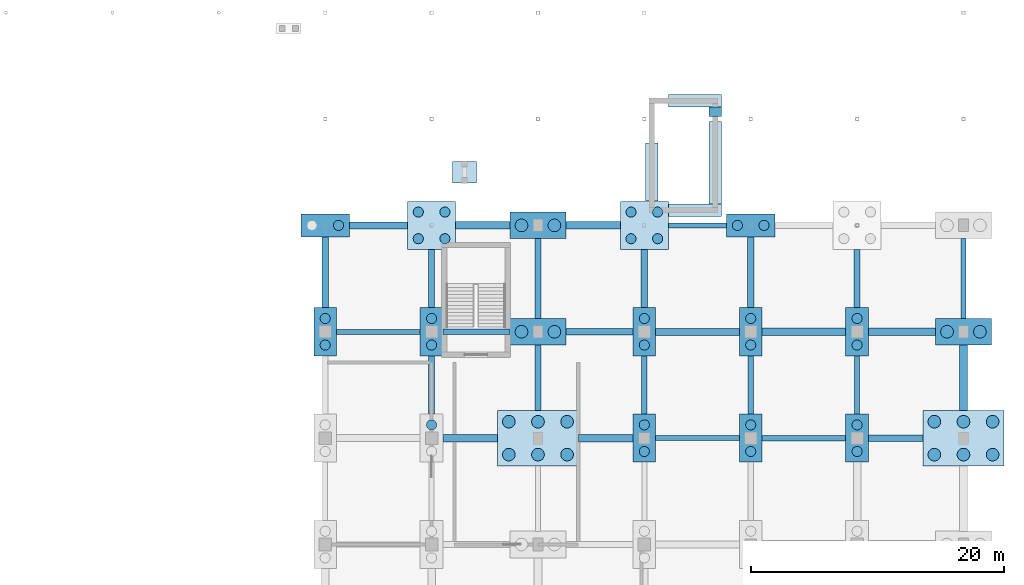
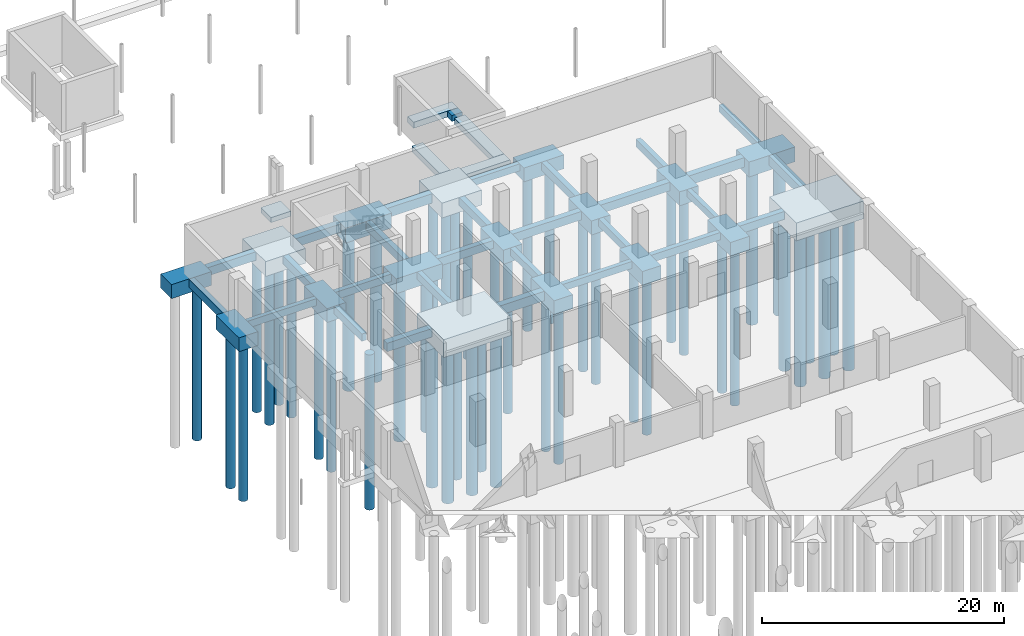
# One storey, part 8 of 39: 51 footings, 46 piles.
"""IFC4 building model written with IfcOpenShell, lengths in metres."""

import ifcopenshell
import ifcopenshell.guid

model = None  # the IFC model being written
_history = None  # IfcOwnerHistory: only IFC2X3 demands one
_inside = {}  # id of a spatial element -> (the spatial element, [elements in it])
_under = {}  # id of a project, library or spatial element -> (it, [spatial elements below it])
_declared = {}  # id of a project -> (the project, [libraries it declares])
_typed = {}  # id of a type object -> (the type object, [elements of that type])
_made_of = {}  # id of a material, layer set ... -> (it, [elements and type objects made of it])


def new_model(schema):
    """Start an empty IFC model of exactly this schema.

    Asked for "IFC4X3", IfcOpenShell would pick the latest addendum, in which some entities
    have other attributes; the version numbers below select the first issue.
    IFC2X3 requires an IfcOwnerHistory on every rooted entity: one is made here for all.
    """
    global model, _history
    if schema == "IFC4X3":
        model = ifcopenshell.file(schema_version=(4, 3, 0, 0))
    else:
        model = ifcopenshell.file(schema=schema)
    _inside.clear()
    _under.clear()
    _declared.clear()
    _typed.clear()
    _made_of.clear()
    _history = None
    if model.schema == "IFC2X3":
        org = make("IfcOrganization", Name="unknown")
        user = make(
            "IfcPersonAndOrganization",
            ThePerson=make("IfcPerson", FamilyName="unknown"),
            TheOrganization=org,
        )
        app = make(
            "IfcApplication",
            ApplicationDeveloper=org,
            Version="unknown",
            ApplicationFullName="unknown",
            ApplicationIdentifier="unknown",
        )
        _history = make(
            "IfcOwnerHistory",
            OwningUser=user,
            OwningApplication=app,
            ChangeAction="ADDED",
            CreationDate=0,
        )
    return model


def make(cls, **values):
    """One entity of the class cls with the attributes given. An attribute that is None is left unset."""
    return model.create_entity(
        cls, **{name: value for name, value in values.items() if value is not None}
    )


def rooted(cls, **values):
    """An entity with a GlobalId (a new one), such as an element, a storey or a relation."""
    return make(cls, GlobalId=ifcopenshell.guid.new(), OwnerHistory=_history, **values)


def si_unit(unit_type, name, prefix=None):
    """IfcSIUnit, for example si_unit("LENGTHUNIT", "METRE", prefix="MILLI")."""
    return make("IfcSIUnit", UnitType=unit_type, Prefix=prefix, Name=name)


def derived_unit(unit_type, elements):
    """IfcDerivedUnit: a product of units, each with its exponent."""
    return make(
        "IfcDerivedUnit",
        Elements=[
            make("IfcDerivedUnitElement", Unit=unit, Exponent=power)
            for unit, power in elements
        ],
        UnitType=unit_type,
    )


def assignment(units):
    """IfcUnitAssignment: the units of a project."""
    return None if units is None else make("IfcUnitAssignment", Units=units)


def point(xyz):
    """IfcCartesianPoint."""
    return None if xyz is None else make("IfcCartesianPoint", Coordinates=xyz)


def direction(xyz):
    """IfcDirection."""
    return None if xyz is None else make("IfcDirection", DirectionRatios=xyz)


def frame(location, z_axis=None, x_axis=None):
    """IfcAxis2Placement3D, a coordinate frame: its origin and axes. An axis left out is left unset."""
    return make(
        "IfcAxis2Placement3D",
        Location=point(location),
        Axis=direction(z_axis),
        RefDirection=direction(x_axis),
    )


def frame_2d(location, x_axis=None):
    """IfcAxis2Placement2D, a coordinate frame in the plane: its origin and x axis."""
    return make(
        "IfcAxis2Placement2D", Location=point(location), RefDirection=direction(x_axis)
    )


def origin():
    """The frame at (0, 0, 0) with its axes left unset."""
    return frame((0.0, 0.0, 0.0))


def origin_2d():
    """The frame at (0, 0) in the plane with its x axis left unset."""
    return frame_2d((0.0, 0.0))


def place(relative_to, where):
    """IfcLocalPlacement: puts the frame where relative to a parent placement (None: the world)."""
    return make(
        "IfcLocalPlacement", PlacementRelTo=relative_to, RelativePlacement=where
    )


def context(
    kind, dimensions, precision=None, world=None, true_north=None, identifier=None
):
    """IfcGeometricRepresentationContext, for example the 3D "Model" context."""
    return make(
        "IfcGeometricRepresentationContext",
        ContextIdentifier=identifier,
        ContextType=kind,
        CoordinateSpaceDimension=dimensions,
        Precision=precision,
        WorldCoordinateSystem=world,
        TrueNorth=true_north,
    )


def subcontext(parent, identifier, kind, view, scale=None):
    """IfcGeometricRepresentationSubContext, for example "Body" below "Model"."""
    return make(
        "IfcGeometricRepresentationSubContext",
        ContextIdentifier=identifier,
        ContextType=kind,
        ParentContext=parent,
        TargetScale=scale,
        TargetView=view,
    )


def project(units=None, contexts=None):
    """IfcProject with its units and contexts."""
    return rooted(
        "IfcProject",
        Name="project",
        RepresentationContexts=contexts,
        UnitsInContext=assignment(units),
    )


def spatial(cls, under=None, at=None, **own):
    """A site, building, storey or space (cls), placed at a placement, below another one or the project."""
    s = rooted(cls, ObjectPlacement=at, **own)
    if under is not None:
        _under.setdefault(under.id(), (under, []))[1].append(s)
    return s


def polyline(points):
    """IfcPolyline through the points."""
    return make("IfcPolyline", Points=[point(p) for p in points])


def profile(cls, at=None, kind="AREA", **sizes):
    """A parametric profile (cls). Its sizes go by their IFC names, for example OverallWidth=200.0."""
    return make(cls, ProfileType=kind, Position=at, **sizes)


def rectangle(**sizes):
    """IfcRectangleProfileDef."""
    return profile("IfcRectangleProfileDef", **sizes)


def circle(**sizes):
    """IfcCircleProfileDef."""
    return profile("IfcCircleProfileDef", **sizes)


def outline(outer, holes=None, kind="AREA"):
    """IfcArbitraryClosedProfileDef: a profile drawn as a closed curve; with holes, ...WithVoids."""
    if holes is None:
        return make("IfcArbitraryClosedProfileDef", ProfileType=kind, OuterCurve=outer)
    return make(
        "IfcArbitraryProfileDefWithVoids",
        ProfileType=kind,
        OuterCurve=outer,
        InnerCurves=holes,
    )


def extrude(swept, where, along, depth):
    """IfcExtrudedAreaSolid: the profile swept, set in the frame where, extruded along a direction by depth."""
    return make(
        "IfcExtrudedAreaSolid",
        SweptArea=swept,
        Position=where,
        ExtrudedDirection=direction(along),
        Depth=depth,
    )


def shape(context_of_items, identifier, shape_type, items):
    """IfcShapeRepresentation: the items that make up one representation, for example the "Body"."""
    return make(
        "IfcShapeRepresentation",
        ContextOfItems=context_of_items,
        RepresentationIdentifier=identifier,
        RepresentationType=shape_type,
        Items=items,
    )


def material(Name=None, Category=None):
    """IfcMaterial."""
    return make("IfcMaterial", Name=Name, Category=Category)


def material_profile(
    of_material, cross_section, Name=None, Category=None, Priority=None
):
    """IfcMaterialProfile: a cross section and its material."""
    return make(
        "IfcMaterialProfile",
        Name=Name,
        Material=of_material,
        Profile=cross_section,
        Priority=Priority,
        Category=Category,
    )


def profile_set(profiles, Name=None, composite=None):
    """IfcMaterialProfileSet."""
    return make(
        "IfcMaterialProfileSet",
        Name=Name,
        MaterialProfiles=profiles,
        CompositeProfile=composite,
    )


def made_of(thing, what):
    """Note that an element or type object is made of a material, layer set ...; save() writes the relation."""
    if what is not None:
        _made_of.setdefault(what.id(), (what, []))[1].append(thing)
    return thing


def type_object(cls, material=None, **own):
    """A type object (cls), such as IfcWallType, which elements share."""
    return made_of(rooted(cls, **own), material)


def element(
    cls,
    number,
    at=None,
    inside=None,
    cuts=None,
    type_object=None,
    material=None,
    context=None,
    identifier="Body",
    shape_type=None,
    held_by="IfcProductDefinitionShape",
    body=None,
    shapes=None,
    **own,
):
    """One element of the class cls, such as IfcWall. Its Tag is "e" and its number.

    at: its placement. inside: the storey or other place that contains it. cuts: it is an
    opening in that element (IfcRelVoidsElement). A single representation is given by context,
    identifier, shape_type and body (its items); several are given by shapes. held_by: the class
    of the entity that holds the representations. save() writes the other relations.
    """
    e = rooted(cls, Tag="e%d" % number, ObjectPlacement=at, **own)
    if body is not None:
        shapes = [shape(context, identifier, shape_type, body)]
    if shapes is not None:
        e.Representation = make(held_by, Representations=shapes)
    if inside is not None:
        _inside.setdefault(inside.id(), (inside, []))[1].append(e)
    if cuts is not None:
        rooted(
            "IfcRelVoidsElement", RelatingBuildingElement=cuts, RelatedOpeningElement=e
        )
    if type_object is not None:
        _typed.setdefault(type_object.id(), (type_object, []))[1].append(e)
    return made_of(e, material)


def aggregate(whole, parts):
    """IfcRelAggregates: a whole, such as a stair, and the parts it consists of."""
    return rooted("IfcRelAggregates", RelatingObject=whole, RelatedObjects=parts)


def save(model, path):
    """Write the relations noted so far, then the file.

    IfcRelAggregates (storeys below a building ...), IfcRelContainedInSpatialStructure (elements
    in a storey), IfcRelDefinesByType, IfcRelAssociatesMaterial and IfcRelDeclares: one each for
    every whole, place, type object, material and project.
    """
    for whole, parts in _under.values():
        aggregate(whole, parts)
    for where, things in _inside.values():
        rooted(
            "IfcRelContainedInSpatialStructure",
            RelatedElements=things,
            RelatingStructure=where,
        )
    for kind, things in _typed.values():
        rooted("IfcRelDefinesByType", RelatedObjects=things, RelatingType=kind)
    for what, things in _made_of.values():
        rooted("IfcRelAssociatesMaterial", RelatedObjects=things, RelatingMaterial=what)
    for by, libraries in _declared.values():
        rooted("IfcRelDeclares", RelatingContext=by, RelatedDefinitions=libraries)
    model.write(path)


model = new_model("IFC4")

# Units and contexts
model_context = context("Model", 3, precision=1e-05, world=origin(), true_north=direction((0.0, 1.0)))
body_context = subcontext(model_context, "Body", "Model", "MODEL_VIEW")
ifc_project = project(units=[si_unit("LENGTHUNIT", "METRE"), si_unit("AREAUNIT", "SQUARE_METRE"), si_unit("VOLUMEUNIT", "CUBIC_METRE"), si_unit("PLANEANGLEUNIT", "RADIAN"), si_unit("MASSUNIT", "GRAM", prefix="KILO"), derived_unit("THERMALTRANSMITTANCEUNIT", [(si_unit("POWERUNIT", "WATT"), 1), (si_unit("LENGTHUNIT", "METRE"), -2), (si_unit("THERMODYNAMICTEMPERATUREUNIT", "KELVIN"), -1)])], contexts=[model_context])

# Site, building, storey
site_placement = place(None, origin())
site = spatial("IfcSite", under=ifc_project, at=site_placement, CompositionType="ELEMENT")
building_placement = place(site_placement, origin())
building = spatial("IfcBuilding", under=site, at=building_placement, Name="Barrovel Congress Hotel", CompositionType="ELEMENT")
storey_placement = place(building_placement, frame((0.0, 0.0, -4.5)))
storey = spatial("IfcBuildingStorey", under=building, at=storey_placement, Name="B01", CompositionType="ELEMENT", Elevation=-4.5)

# Footings
ifc_material_1 = material(Name="Concrete C40", Category="concrete")
footing_type_1 = type_object("IfcFootingType", Name="CAP-PC-03", PredefinedType="PILE_CAP", material=ifc_material_1)
for number, where, z_axis, x_axis, name in (
    (1, (126.0, 79.800048828125, -1.760009765625), (0.0, 0.0, 1.0), (1.0, 0.0, 0.0), "CAP:B01:126.0:79.8"),
    (2, (159.60009765625, 79.800048828125, -1.760009765625), (0.0, 0.0, 1.0), (1.0, 0.0, 0.0), "CAP:B01:159.6:79.8"),
):
    element("IfcFooting", number, at=place(storey_placement, frame(where, z_axis=z_axis, x_axis=x_axis)), inside=storey, type_object=footing_type_1, Name=name, PredefinedType="PILE_CAP", context=body_context, shape_type="SweptSolid", body=[
        extrude(rectangle(XDim=3.800048828125, YDim=1.800048828125, at=origin_2d()), origin(), (0.0, 0.0, 1.0), 1.39990234375),
    ])
footing_type_2 = type_object("IfcFootingType", Name="CAP-PC-04", PredefinedType="PILE_CAP", material=ifc_material_1)
for number, where, z_axis, x_axis, name in (
    (3, (126.0, 71.39990234375, -1.760009765625), (0.0, 0.0, 1.0), (1.0, 0.0, 0.0), "CAP:B01:126.0:71.4"),
    (4, (134.39990234375, 71.39990234375, -1.760009765625), (0.0, 0.0, 1.0), (1.0, 0.0, 0.0), "CAP:B01:134.4:71.4"),
    (5, (151.199951171875, 63.0, -1.760009765625), (0.0, 0.0, 1.0), (1.0, 0.0, 0.0), "CAP:B01:151.2:63.0"),
    (6, (151.199951171875, 71.39990234375, -1.760009765625), (0.0, 0.0, 1.0), (1.0, 0.0, 0.0), "CAP:B01:151.2:71.4"),
    (7, (159.60009765625, 63.0, -1.760009765625), (0.0, 0.0, 1.0), (1.0, 0.0, 0.0), "CAP:B01:159.6:63.0"),
    (8, (159.60009765625, 71.39990234375, -1.760009765625), (0.0, 0.0, 1.0), (1.0, 0.0, 0.0), "CAP:B01:159.6:71.4"),
    (9, (168.0, 63.0, -1.760009765625), (0.0, 0.0, 1.0), (1.0, 0.0, 0.0), "CAP:B01:168.0:63.0"),
    (10, (168.0, 71.39990234375, -1.760009765625), (0.0, 0.0, 1.0), (1.0, 0.0, 0.0), "CAP:B01:168.0:71.4"),
):
    element("IfcFooting", number, at=place(storey_placement, frame(where, z_axis=z_axis, x_axis=x_axis)), inside=storey, type_object=footing_type_2, Name=name, PredefinedType="PILE_CAP", context=body_context, shape_type="SweptSolid", body=[
        extrude(rectangle(XDim=1.800048828125, YDim=3.800048828125, at=origin_2d()), origin(), (0.0, 0.0, 1.0), 1.39990234375),
    ])
footing_type_3 = type_object("IfcFootingType", Name="CAP-PC-05", PredefinedType="PILE_CAP", material=ifc_material_1)
for number, where, z_axis, x_axis, name in (
    (11, (142.800048828125, 71.39990234375, -1.860107421875), (0.0, 0.0, 1.0), (1.0, 0.0, 0.0), "CAP:B01:142.8:71.4"),
    (12, (142.800048828125, 79.800048828125, -1.860107421875), (0.0, 0.0, 1.0), (1.0, 0.0, 0.0), "CAP:B01:142.8:79.8"),
    (13, (176.39990234375, 71.39990234375, -1.860107421875), (0.0, 0.0, 1.0), (1.0, 0.0, 0.0), "CAP:B01:176.4:71.4"),
):
    element("IfcFooting", number, at=place(storey_placement, frame(where, z_axis=z_axis, x_axis=x_axis)), inside=storey, type_object=footing_type_3, Name=name, PredefinedType="PILE_CAP", context=body_context, shape_type="SweptSolid", body=[
        extrude(rectangle(XDim=4.39990234375, YDim=2.10009765625, at=origin_2d()), origin(), (0.0, 0.0, 1.0), 1.5),
    ])
footing_type_4 = type_object("IfcFootingType", Name="CAP-PC-07", PredefinedType="PILE_CAP", material=ifc_material_1)
for number, where, z_axis, x_axis, name in (
    (14, (134.39990234375, 79.800048828125, -1.860107421875), (0.0, 0.0, 1.0), (1.0, 0.0, 0.0), "CAP:B01:134.4:79.8"),
    (15, (151.199951171875, 79.800048828125, -1.860107421875), (0.0, 0.0, 1.0), (1.0, 0.0, 0.0), "CAP:B01:151.2:79.8"),
):
    element("IfcFooting", number, at=place(storey_placement, frame(where, z_axis=z_axis, x_axis=x_axis)), inside=storey, type_object=footing_type_4, Name=name, PredefinedType="PILE_CAP", context=body_context, shape_type="SweptSolid", body=[
        extrude(rectangle(XDim=3.800048828125, YDim=3.800048828125, at=origin_2d()), origin(), (0.0, 0.0, 1.0), 1.5),
    ])
footing_type_5 = type_object("IfcFootingType", Name="CAP-PC-12", PredefinedType="PILE_CAP", material=ifc_material_1)
for number, where, z_axis, x_axis, name in (
    (16, (142.800048828125, 63.0, -2.16015625), (0.0, 0.0, 1.0), (1.0, 0.0, 0.0), "CAP:B01:142.8:63.0"),
    (17, (176.39990234375, 63.0, -2.16015625), (0.0, 0.0, 1.0), (1.0, 0.0, 0.0), "CAP:B01:176.4:63.0"),
):
    element("IfcFooting", number, at=place(storey_placement, frame(where, z_axis=z_axis, x_axis=x_axis)), inside=storey, type_object=footing_type_5, Name=name, PredefinedType="PILE_CAP", context=body_context, shape_type="SweptSolid", body=[
        extrude(rectangle(XDim=6.39990234375, YDim=4.39990234375, at=origin_2d()), origin(), (0.0, 0.0, 1.0), 1.800048828125),
    ])
footing_type_6 = type_object("IfcFootingType", Name="FB-400x700", PredefinedType="FOOTING_BEAM", material=ifc_material_1)
footing_1_placement = place(storey_placement, frame((0.0, 0.0, -1.06005859375)))
element("IfcFooting", 18, at=footing_1_placement, inside=storey, type_object=footing_type_6, Name="FBX:B01:63.0:151.2-159.6", PredefinedType="FOOTING_BEAM", context=body_context, shape_type="SweptSolid", body=[
    extrude(outline(polyline([(152.10009765625, 62.800048828125), (158.699951171875, 62.800048828125), (158.699951171875, 63.199951171875), (152.10009765625, 63.199951171875), (152.10009765625, 62.800048828125)])), origin(), (0.0, 0.0, 1.0), 0.699951171875),
])
footing_2_placement = place(storey_placement, frame((0.0, 0.0, -1.06005859375)))
element("IfcFooting", 19, at=footing_2_placement, inside=storey, type_object=footing_type_6, Name="FBX:B01:71.4:126.0-134.4", PredefinedType="FOOTING_BEAM", context=body_context, shape_type="SweptSolid", body=[
    extrude(outline(polyline([(126.89990234375, 71.199951171875), (133.5, 71.199951171875), (133.5, 71.60009765625), (126.89990234375, 71.60009765625), (126.89990234375, 71.199951171875)])), origin(), (0.0, 0.0, 1.0), 0.699951171875),
])
footing_3_placement = place(storey_placement, frame((0.0, 0.0, -1.06005859375)))
element("IfcFooting", 20, at=footing_3_placement, inside=storey, type_object=footing_type_6, Name="FBX:B01:79.8:151.2-159.6", PredefinedType="FOOTING_BEAM", context=body_context, shape_type="SweptSolid", body=[
    extrude(outline(polyline([(153.10009765625, 79.60009765625), (157.699951171875, 79.60009765625), (157.699951171875, 80.0), (153.10009765625, 80.0), (153.10009765625, 79.60009765625)])), origin(), (0.0, 0.0, 1.0), 0.699951171875),
])
footing_4_placement = place(storey_placement, frame((0.0, 0.0, -1.06005859375)))
element("IfcFooting", 21, at=footing_4_placement, inside=storey, type_object=footing_type_6, Name="FBY:B01:168.0:63.0-71.4", PredefinedType="FOOTING_BEAM", context=body_context, shape_type="SweptSolid", body=[
    extrude(outline(polyline([(167.800048828125, 64.89990234375), (168.199951171875, 64.89990234375), (168.199951171875, 69.5), (167.800048828125, 69.5), (167.800048828125, 64.89990234375)])), origin(), (0.0, 0.0, 1.0), 0.699951171875),
])
footing_5_placement = place(storey_placement, frame((0.0, 0.0, -1.06005859375)))
element("IfcFooting", 22, at=footing_5_placement, inside=storey, type_object=footing_type_6, Name="FBY:B01:176.4:71.4-79.8", PredefinedType="FOOTING_BEAM", context=body_context, shape_type="SweptSolid", body=[
    extrude(outline(polyline([(176.199951171875, 72.449951171875), (176.60009765625, 72.449951171875), (176.60009765625, 78.75), (176.199951171875, 78.75), (176.199951171875, 72.449951171875)])), origin(), (0.0, 0.0, 1.0), 0.699951171875),
])
footing_type_7 = type_object("IfcFootingType", Name="FB-450x750", PredefinedType="FOOTING_BEAM", material=ifc_material_1)
footing_6_placement = place(storey_placement, frame((0.0, 0.0, -1.110107421875)))
element("IfcFooting", 23, at=footing_6_placement, inside=storey, type_object=footing_type_7, Name="FBX:B01:63.0:159.6-168.0", PredefinedType="FOOTING_BEAM", context=body_context, shape_type="SweptSolid", body=[
    extrude(outline(polyline([(160.5, 62.77490234375), (167.10009765625, 62.77490234375), (167.10009765625, 63.22509765625), (160.5, 63.22509765625), (160.5, 62.77490234375)])), origin(), (0.0, 0.0, 1.0), 0.75),
])
footing_7_placement = place(storey_placement, frame((0.0, 0.0, -1.110107421875)))
element("IfcFooting", 24, at=footing_7_placement, inside=storey, type_object=footing_type_7, Name="FBX:B01:71.4:134.4-142.8", PredefinedType="FOOTING_BEAM", context=body_context, shape_type="SweptSolid", body=[
    extrude(outline(polyline([(135.300048828125, 71.175048828125), (140.60009765625, 71.175048828125), (140.60009765625, 71.625), (135.300048828125, 71.625), (135.300048828125, 71.175048828125)])), origin(), (0.0, 0.0, 1.0), 0.75),
])
footing_8_placement = place(storey_placement, frame((0.0, 0.0, -1.110107421875)))
element("IfcFooting", 25, at=footing_8_placement, inside=storey, type_object=footing_type_7, Name="FBY:B01:134.4:63.0-71.4", PredefinedType="FOOTING_BEAM", context=body_context, shape_type="SweptSolid", body=[
    extrude(outline(polyline([(134.175048828125, 64.89990234375), (134.625, 64.89990234375), (134.625, 69.5), (134.175048828125, 69.5), (134.175048828125, 64.89990234375)])), origin(), (0.0, 0.0, 1.0), 0.75),
])
footing_9_placement = place(storey_placement, frame((0.0, 0.0, -1.110107421875)))
element("IfcFooting", 26, at=footing_9_placement, inside=storey, type_object=footing_type_7, Name="FBY:B01:142.8:63.0-71.4", PredefinedType="FOOTING_BEAM", context=body_context, shape_type="SweptSolid", body=[
    extrude(outline(polyline([(142.574951171875, 65.199951171875), (143.02490234375, 65.199951171875), (143.02490234375, 70.35009765625), (142.574951171875, 70.35009765625), (142.574951171875, 65.199951171875)])), origin(), (0.0, 0.0, 1.0), 0.75),
])
footing_10_placement = place(storey_placement, frame((0.0, 0.0, -1.110107421875)))
element("IfcFooting", 27, at=footing_10_placement, inside=storey, type_object=footing_type_7, Name="FBY:B01:151.2:63.0-71.4", PredefinedType="FOOTING_BEAM", context=body_context, shape_type="SweptSolid", body=[
    extrude(outline(polyline([(150.97509765625, 64.89990234375), (151.425048828125, 64.89990234375), (151.425048828125, 69.5), (150.97509765625, 69.5), (150.97509765625, 64.89990234375)])), origin(), (0.0, 0.0, 1.0), 0.75),
])
footing_11_placement = place(storey_placement, frame((0.0, 0.0, -1.110107421875)))
element("IfcFooting", 28, at=footing_11_placement, inside=storey, type_object=footing_type_7, Name="FBY:B01:159.6:63.0-71.4", PredefinedType="FOOTING_BEAM", context=body_context, shape_type="SweptSolid", body=[
    extrude(outline(polyline([(159.375, 64.89990234375), (159.824951171875, 64.89990234375), (159.824951171875, 69.5), (159.375, 69.5), (159.375, 64.89990234375)])), origin(), (0.0, 0.0, 1.0), 0.75),
])
footing_12_placement = place(storey_placement, frame((0.0, 0.0, -1.110107421875)))
element("IfcFooting", 29, at=footing_12_placement, inside=storey, type_object=footing_type_7, Name="FBY:B01:168.0:71.4-79.8", PredefinedType="FOOTING_BEAM", context=body_context, shape_type="SweptSolid", body=[
    extrude(outline(polyline([(167.77490234375, 73.300048828125), (168.22509765625, 73.300048828125), (168.22509765625, 77.89990234375), (167.77490234375, 77.89990234375), (167.77490234375, 73.300048828125)])), origin(), (0.0, 0.0, 1.0), 0.75),
])
footing_type_8 = type_object("IfcFootingType", Name="FB-500x800", PredefinedType="FOOTING_BEAM", material=ifc_material_1)
footing_13_placement = place(storey_placement, frame((0.0, 0.0, -1.159912109375)))
element("IfcFooting", 30, at=footing_13_placement, inside=storey, type_object=footing_type_8, Name="FBX:B01:63.0:168.0-176.4", PredefinedType="FOOTING_BEAM", context=body_context, shape_type="SweptSolid", body=[
    extrude(outline(polyline([(168.89990234375, 62.75), (173.199951171875, 62.75), (173.199951171875, 63.25), (168.89990234375, 63.25), (168.89990234375, 62.75)])), origin(), (0.0, 0.0, 1.0), 0.7998046875),
])
footing_14_placement = place(storey_placement, frame((0.0, 0.0, -1.159912109375)))
element("IfcFooting", 31, at=footing_14_placement, inside=storey, type_object=footing_type_8, Name="FBX:B01:71.4:142.8-151.2", PredefinedType="FOOTING_BEAM", context=body_context, shape_type="SweptSolid", body=[
    extrude(outline(polyline([(145.0, 71.14990234375), (150.300048828125, 71.14990234375), (150.300048828125, 71.64990234375), (145.0, 71.64990234375), (145.0, 71.14990234375)])), origin(), (0.0, 0.0, 1.0), 0.7998046875),
])
footing_15_placement = place(storey_placement, frame((0.0, 0.0, -1.159912109375)))
element("IfcFooting", 32, at=footing_15_placement, inside=storey, type_object=footing_type_8, Name="FBY:B01:126.0:71.4-79.8", PredefinedType="FOOTING_BEAM", context=body_context, shape_type="SweptSolid", body=[
    extrude(outline(polyline([(125.75, 73.300048828125), (126.25, 73.300048828125), (126.25, 78.89990234375), (125.75, 78.89990234375), (125.75, 73.300048828125)])), origin(), (0.0, 0.0, 1.0), 0.7998046875),
])
footing_16_placement = place(storey_placement, frame((0.0, 0.0, -1.159912109375)))
element("IfcFooting", 33, at=footing_16_placement, inside=storey, type_object=footing_type_8, Name="FBY:B01:134.4:71.4-79.8", PredefinedType="FOOTING_BEAM", context=body_context, shape_type="SweptSolid", body=[
    extrude(outline(polyline([(134.14990234375, 73.300048828125), (134.64990234375, 73.300048828125), (134.64990234375, 77.89990234375), (134.14990234375, 77.89990234375), (134.14990234375, 73.300048828125)])), origin(), (0.0, 0.0, 1.0), 0.7998046875),
])
footing_17_placement = place(storey_placement, frame((0.0, 0.0, -1.159912109375)))
element("IfcFooting", 34, at=footing_17_placement, inside=storey, type_object=footing_type_8, Name="FBY:B01:142.8:71.4-79.8", PredefinedType="FOOTING_BEAM", context=body_context, shape_type="SweptSolid", body=[
    extrude(outline(polyline([(142.550048828125, 72.449951171875), (143.050048828125, 72.449951171875), (143.050048828125, 78.75), (142.550048828125, 78.75), (142.550048828125, 72.449951171875)])), origin(), (0.0, 0.0, 1.0), 0.7998046875),
])
footing_18_placement = place(storey_placement, frame((0.0, 0.0, -1.159912109375)))
element("IfcFooting", 35, at=footing_18_placement, inside=storey, type_object=footing_type_8, Name="FBY:B01:151.2:71.4-79.8", PredefinedType="FOOTING_BEAM", context=body_context, shape_type="SweptSolid", body=[
    extrude(outline(polyline([(150.949951171875, 73.300048828125), (151.449951171875, 73.300048828125), (151.449951171875, 77.89990234375), (150.949951171875, 77.89990234375), (150.949951171875, 73.300048828125)])), origin(), (0.0, 0.0, 1.0), 0.7998046875),
])
footing_19_placement = place(storey_placement, frame((0.0, 0.0, -1.159912109375)))
element("IfcFooting", 36, at=footing_19_placement, inside=storey, type_object=footing_type_8, Name="FBY:B01:159.6:71.4-79.8", PredefinedType="FOOTING_BEAM", context=body_context, shape_type="SweptSolid", body=[
    extrude(outline(polyline([(159.35009765625, 73.300048828125), (159.85009765625, 73.300048828125), (159.85009765625, 78.89990234375), (159.35009765625, 78.89990234375), (159.35009765625, 73.300048828125)])), origin(), (0.0, 0.0, 1.0), 0.7998046875),
])
footing_type_9 = type_object("IfcFootingType", Name="FB-550x850", PredefinedType="FOOTING_BEAM", material=ifc_material_1)
footing_20_placement = place(storey_placement, frame((0.0, 0.0, -1.2099609375)))
element("IfcFooting", 37, at=footing_20_placement, inside=storey, type_object=footing_type_9, Name="FBX:B01:71.4:151.2-159.6", PredefinedType="FOOTING_BEAM", context=body_context, shape_type="SweptSolid", body=[
    extrude(outline(polyline([(152.10009765625, 71.125), (158.699951171875, 71.125), (158.699951171875, 71.675048828125), (152.10009765625, 71.675048828125), (152.10009765625, 71.125)])), origin(), (0.0, 0.0, 1.0), 0.849853515625),
])
footing_21_placement = place(storey_placement, frame((0.0, 0.0, -1.2099609375)))
element("IfcFooting", 38, at=footing_21_placement, inside=storey, type_object=footing_type_9, Name="FBX:B01:79.8:126.0-134.4", PredefinedType="FOOTING_BEAM", context=body_context, shape_type="SweptSolid", body=[
    extrude(outline(polyline([(127.89990234375, 79.52490234375), (132.5, 79.52490234375), (132.5, 80.074951171875), (127.89990234375, 80.074951171875), (127.89990234375, 79.52490234375)])), origin(), (0.0, 0.0, 1.0), 0.849853515625),
])
footing_type_10 = type_object("IfcFootingType", Name="FB-600x850", PredefinedType="FOOTING_BEAM", material=ifc_material_1)
footing_22_placement = place(storey_placement, frame((0.0, 0.0, -1.2099609375)))
element("IfcFooting", 39, at=footing_22_placement, inside=storey, type_object=footing_type_10, Name="FBX:B01:63.0:134.4-142.8", PredefinedType="FOOTING_BEAM", context=body_context, shape_type="SweptSolid", body=[
    extrude(outline(polyline([(135.300048828125, 62.699951171875), (139.60009765625, 62.699951171875), (139.60009765625, 63.300048828125), (135.300048828125, 63.300048828125), (135.300048828125, 62.699951171875)])), origin(), (0.0, 0.0, 1.0), 0.849853515625),
])
footing_23_placement = place(storey_placement, frame((0.0, 0.0, -1.2099609375)))
element("IfcFooting", 40, at=footing_23_placement, inside=storey, type_object=footing_type_10, Name="FBX:B01:71.4:159.6-168.0", PredefinedType="FOOTING_BEAM", context=body_context, shape_type="SweptSolid", body=[
    extrude(outline(polyline([(160.5, 71.10009765625), (167.10009765625, 71.10009765625), (167.10009765625, 71.699951171875), (160.5, 71.699951171875), (160.5, 71.10009765625)])), origin(), (0.0, 0.0, 1.0), 0.849853515625),
])
footing_24_placement = place(storey_placement, frame((0.0, 0.0, -1.2099609375)))
element("IfcFooting", 41, at=footing_24_placement, inside=storey, type_object=footing_type_10, Name="FBX:B01:79.8:134.4-142.8", PredefinedType="FOOTING_BEAM", context=body_context, shape_type="SweptSolid", body=[
    extrude(outline(polyline([(136.300048828125, 79.5), (140.60009765625, 79.5), (140.60009765625, 80.10009765625), (136.300048828125, 80.10009765625), (136.300048828125, 79.5)])), origin(), (0.0, 0.0, 1.0), 0.849853515625),
])
footing_type_11 = type_object("IfcFootingType", Name="FB-600x950", PredefinedType="FOOTING_BEAM", material=ifc_material_1)
footing_25_placement = place(storey_placement, frame((0.0, 0.0, -1.31005859375)))
element("IfcFooting", 42, at=footing_25_placement, inside=storey, type_object=footing_type_11, Name="FBX:B01:63.0:142.8-151.2", PredefinedType="FOOTING_BEAM", context=body_context, shape_type="SweptSolid", body=[
    extrude(outline(polyline([(146.0, 62.699951171875), (150.300048828125, 62.699951171875), (150.300048828125, 63.300048828125), (146.0, 63.300048828125), (146.0, 62.699951171875)])), origin(), (0.0, 0.0, 1.0), 0.949951171875),
])
footing_26_placement = place(storey_placement, frame((0.0, 0.0, -1.31005859375)))
element("IfcFooting", 43, at=footing_26_placement, inside=storey, type_object=footing_type_11, Name="FBX:B01:71.4:168.0-176.4", PredefinedType="FOOTING_BEAM", context=body_context, shape_type="SweptSolid", body=[
    extrude(outline(polyline([(168.89990234375, 71.10009765625), (174.199951171875, 71.10009765625), (174.199951171875, 71.699951171875), (168.89990234375, 71.699951171875), (168.89990234375, 71.10009765625)])), origin(), (0.0, 0.0, 1.0), 0.949951171875),
])
footing_27_placement = place(storey_placement, frame((0.0, 0.0, -1.31005859375)))
element("IfcFooting", 44, at=footing_27_placement, inside=storey, type_object=footing_type_11, Name="FBX:B01:79.8:142.8-151.2", PredefinedType="FOOTING_BEAM", context=body_context, shape_type="SweptSolid", body=[
    extrude(outline(polyline([(145.0, 79.5), (149.300048828125, 79.5), (149.300048828125, 80.10009765625), (145.0, 80.10009765625), (145.0, 79.5)])), origin(), (0.0, 0.0, 1.0), 0.949951171875),
])
footing_28_placement = place(storey_placement, frame((0.0, 0.0, -1.31005859375)))
element("IfcFooting", 45, at=footing_28_placement, inside=storey, type_object=footing_type_11, Name="FBY:B01:176.4:63.0-71.4", PredefinedType="FOOTING_BEAM", context=body_context, shape_type="SweptSolid", body=[
    extrude(outline(polyline([(176.10009765625, 65.199951171875), (176.699951171875, 65.199951171875), (176.699951171875, 70.35009765625), (176.10009765625, 70.35009765625), (176.10009765625, 65.199951171875)])), origin(), (0.0, 0.0, 1.0), 0.949951171875),
])

# Piles
ifc_material_2 = material(Name="Concrete C35", Category="concrete")
ifc_material_profile_1 = material_profile(ifc_material_2, circle(Radius=0.5, at=origin_2d()), Name="BP-D1000")
ifc_profile_set_1 = profile_set([ifc_material_profile_1], Name="Concrete C35")
pile_type_1 = type_object("IfcPileType", Name="PILE-BP-D1000", PredefinedType="BORED", material=ifc_profile_set_1)
for number, where, z_axis, x_axis, name in (
    (46, (140.5, 61.699951171875, -2.159912109375), (0.0, 0.0, -1.0), (1.0, 0.0, 0.0), "PILE:B01:142.8:63.0:1"),
    (47, (142.800048828125, 61.699951171875, -2.159912109375), (0.0, 0.0, -1.0), (1.0, 0.0, 0.0), "PILE:B01:142.8:63.0:2"),
    (48, (145.10009765625, 61.699951171875, -2.159912109375), (0.0, 0.0, -1.0), (1.0, 0.0, 0.0), "PILE:B01:142.8:63.0:3"),
    (49, (140.5, 64.300048828125, -2.159912109375), (0.0, 0.0, -1.0), (1.0, 0.0, 0.0), "PILE:B01:142.8:63.0:4"),
    (50, (142.800048828125, 64.300048828125, -2.159912109375), (0.0, 0.0, -1.0), (1.0, 0.0, 0.0), "PILE:B01:142.8:63.0:5"),
    (51, (145.10009765625, 64.300048828125, -2.159912109375), (0.0, 0.0, -1.0), (1.0, 0.0, 0.0), "PILE:B01:142.8:63.0:6"),
):
    element("IfcPile", number, at=place(storey_placement, frame(where, z_axis=z_axis, x_axis=x_axis)), inside=storey, type_object=pile_type_1, Name=name, PredefinedType="BORED", context=body_context, shape_type="SweptSolid", body=[
        extrude(circle(Radius=0.5, at=origin_2d()), origin(), (0.0, 0.0, 1.0), 15.239990234375),
    ])
for number, where, z_axis, x_axis, name in (
    (52, (141.5, 71.39990234375, -1.860107421875), (0.0, 0.0, -1.0), (1.0, 0.0, 0.0), "PILE:B01:142.8:71.4:1"),
    (53, (144.10009765625, 71.39990234375, -1.860107421875), (0.0, 0.0, -1.0), (1.0, 0.0, 0.0), "PILE:B01:142.8:71.4:2"),
    (54, (141.5, 79.800048828125, -1.860107421875), (0.0, 0.0, -1.0), (1.0, 0.0, 0.0), "PILE:B01:142.8:79.8:1"),
    (55, (144.10009765625, 79.800048828125, -1.860107421875), (0.0, 0.0, -1.0), (1.0, 0.0, 0.0), "PILE:B01:142.8:79.8:2"),
):
    element("IfcPile", number, at=place(storey_placement, frame(where, z_axis=z_axis, x_axis=x_axis)), inside=storey, type_object=pile_type_1, Name=name, PredefinedType="BORED", context=body_context, shape_type="SweptSolid", body=[
        extrude(circle(Radius=0.5, at=origin_2d()), origin(), (0.0, 0.0, 1.0), 15.5400390625),
    ])
for number, where, z_axis, x_axis, name in (
    (56, (174.10009765625, 61.699951171875, -2.159912109375), (0.0, 0.0, -1.0), (1.0, 0.0, 0.0), "PILE:B01:176.4:63.0:1"),
    (57, (176.39990234375, 61.699951171875, -2.159912109375), (0.0, 0.0, -1.0), (1.0, 0.0, 0.0), "PILE:B01:176.4:63.0:2"),
    (58, (178.699951171875, 61.699951171875, -2.159912109375), (0.0, 0.0, -1.0), (1.0, 0.0, 0.0), "PILE:B01:176.4:63.0:3"),
    (59, (174.10009765625, 64.300048828125, -2.159912109375), (0.0, 0.0, -1.0), (1.0, 0.0, 0.0), "PILE:B01:176.4:63.0:4"),
    (60, (176.39990234375, 64.300048828125, -2.159912109375), (0.0, 0.0, -1.0), (1.0, 0.0, 0.0), "PILE:B01:176.4:63.0:5"),
    (61, (178.699951171875, 64.300048828125, -2.159912109375), (0.0, 0.0, -1.0), (1.0, 0.0, 0.0), "PILE:B01:176.4:63.0:6"),
):
    element("IfcPile", number, at=place(storey_placement, frame(where, z_axis=z_axis, x_axis=x_axis)), inside=storey, type_object=pile_type_1, Name=name, PredefinedType="BORED", context=body_context, shape_type="SweptSolid", body=[
        extrude(circle(Radius=0.5, at=origin_2d()), origin(), (0.0, 0.0, 1.0), 15.239990234375),
    ])
for number, where, z_axis, x_axis, name in (
    (62, (175.10009765625, 71.39990234375, -1.860107421875), (0.0, 0.0, -1.0), (1.0, 0.0, 0.0), "PILE:B01:176.4:71.4:1"),
    (63, (177.699951171875, 71.39990234375, -1.860107421875), (0.0, 0.0, -1.0), (1.0, 0.0, 0.0), "PILE:B01:176.4:71.4:2"),
):
    element("IfcPile", number, at=place(storey_placement, frame(where, z_axis=z_axis, x_axis=x_axis)), inside=storey, type_object=pile_type_1, Name=name, PredefinedType="BORED", context=body_context, shape_type="SweptSolid", body=[
        extrude(circle(Radius=0.5, at=origin_2d()), origin(), (0.0, 0.0, 1.0), 15.5400390625),
    ])
ifc_material_profile_2 = material_profile(ifc_material_2, circle(Radius=0.39990234375, at=origin_2d()), Name="BP-D800")
ifc_profile_set_2 = profile_set([ifc_material_profile_2], Name="Concrete C35")
pile_type_2 = type_object("IfcPileType", Name="PILE-BP-D800", PredefinedType="BORED", material=ifc_profile_set_2)
for number, where, z_axis, x_axis, name in (
    (64, (126.0, 70.35009765625, -1.760009765625), (0.0, 0.0, -1.0), (1.0, 0.0, 0.0), "PILE:B01:126.0:71.4:1"),
    (65, (126.0, 72.449951171875, -1.760009765625), (0.0, 0.0, -1.0), (1.0, 0.0, 0.0), "PILE:B01:126.0:71.4:2"),
    (66, (127.050048828125, 79.800048828125, -1.760009765625), (0.0, 0.0, -1.0), (1.0, 0.0, 0.0), "PILE:B01:126.0:79.8:2"),
    (67, (134.39990234375, 64.050048828125, -1.760009765625), (0.0, 0.0, -1.0), (1.0, 0.0, 0.0), "PILE:B01:134.4:63.0:2"),
    (68, (134.39990234375, 70.35009765625, -1.760009765625), (0.0, 0.0, -1.0), (1.0, 0.0, 0.0), "PILE:B01:134.4:71.4:1"),
    (69, (134.39990234375, 72.449951171875, -1.760009765625), (0.0, 0.0, -1.0), (1.0, 0.0, 0.0), "PILE:B01:134.4:71.4:2"),
):
    element("IfcPile", number, at=place(storey_placement, frame(where, z_axis=z_axis, x_axis=x_axis)), inside=storey, type_object=pile_type_2, Name=name, PredefinedType="BORED", context=body_context, shape_type="SweptSolid", body=[
        extrude(circle(Radius=0.39990234375, at=origin_2d()), origin(), (0.0, 0.0, 1.0), 15.639892578125),
    ])
for number, where, z_axis, x_axis, name in (
    (70, (133.35009765625, 78.75, -1.860107421875), (0.0, 0.0, -1.0), (1.0, 0.0, 0.0), "PILE:B01:134.4:79.8:1"),
    (71, (135.449951171875, 78.75, -1.860107421875), (0.0, 0.0, -1.0), (1.0, 0.0, 0.0), "PILE:B01:134.4:79.8:2"),
    (72, (133.35009765625, 80.85009765625, -1.860107421875), (0.0, 0.0, -1.0), (1.0, 0.0, 0.0), "PILE:B01:134.4:79.8:3"),
    (73, (135.449951171875, 80.85009765625, -1.860107421875), (0.0, 0.0, -1.0), (1.0, 0.0, 0.0), "PILE:B01:134.4:79.8:4"),
):
    element("IfcPile", number, at=place(storey_placement, frame(where, z_axis=z_axis, x_axis=x_axis)), inside=storey, type_object=pile_type_2, Name=name, PredefinedType="BORED", context=body_context, shape_type="SweptSolid", body=[
        extrude(circle(Radius=0.39990234375, at=origin_2d()), origin(), (0.0, 0.0, 1.0), 15.5400390625),
    ])
for number, where, z_axis, x_axis, name in (
    (74, (151.199951171875, 61.949951171875, -1.760009765625), (0.0, 0.0, -1.0), (1.0, 0.0, 0.0), "PILE:B01:151.2:63.0:1"),
    (75, (151.199951171875, 64.050048828125, -1.760009765625), (0.0, 0.0, -1.0), (1.0, 0.0, 0.0), "PILE:B01:151.2:63.0:2"),
    (76, (151.199951171875, 70.35009765625, -1.760009765625), (0.0, 0.0, -1.0), (1.0, 0.0, 0.0), "PILE:B01:151.2:71.4:1"),
    (77, (151.199951171875, 72.449951171875, -1.760009765625), (0.0, 0.0, -1.0), (1.0, 0.0, 0.0), "PILE:B01:151.2:71.4:2"),
):
    element("IfcPile", number, at=place(storey_placement, frame(where, z_axis=z_axis, x_axis=x_axis)), inside=storey, type_object=pile_type_2, Name=name, PredefinedType="BORED", context=body_context, shape_type="SweptSolid", body=[
        extrude(circle(Radius=0.39990234375, at=origin_2d()), origin(), (0.0, 0.0, 1.0), 15.639892578125),
    ])
for number, where, z_axis, x_axis, name in (
    (78, (150.14990234375, 78.75, -1.860107421875), (0.0, 0.0, -1.0), (1.0, 0.0, 0.0), "PILE:B01:151.2:79.8:1"),
    (79, (152.25, 78.75, -1.860107421875), (0.0, 0.0, -1.0), (1.0, 0.0, 0.0), "PILE:B01:151.2:79.8:2"),
    (80, (150.14990234375, 80.85009765625, -1.860107421875), (0.0, 0.0, -1.0), (1.0, 0.0, 0.0), "PILE:B01:151.2:79.8:3"),
    (81, (152.25, 80.85009765625, -1.860107421875), (0.0, 0.0, -1.0), (1.0, 0.0, 0.0), "PILE:B01:151.2:79.8:4"),
):
    element("IfcPile", number, at=place(storey_placement, frame(where, z_axis=z_axis, x_axis=x_axis)), inside=storey, type_object=pile_type_2, Name=name, PredefinedType="BORED", context=body_context, shape_type="SweptSolid", body=[
        extrude(circle(Radius=0.39990234375, at=origin_2d()), origin(), (0.0, 0.0, 1.0), 15.5400390625),
    ])
for number, where, z_axis, x_axis, name in (
    (82, (159.60009765625, 61.949951171875, -1.760009765625), (0.0, 0.0, -1.0), (1.0, 0.0, 0.0), "PILE:B01:159.6:63.0:1"),
    (83, (159.60009765625, 64.050048828125, -1.760009765625), (0.0, 0.0, -1.0), (1.0, 0.0, 0.0), "PILE:B01:159.6:63.0:2"),
    (84, (159.60009765625, 70.35009765625, -1.760009765625), (0.0, 0.0, -1.0), (1.0, 0.0, 0.0), "PILE:B01:159.6:71.4:1"),
    (85, (159.60009765625, 72.449951171875, -1.760009765625), (0.0, 0.0, -1.0), (1.0, 0.0, 0.0), "PILE:B01:159.6:71.4:2"),
    (86, (158.550048828125, 79.800048828125, -1.760009765625), (0.0, 0.0, -1.0), (1.0, 0.0, 0.0), "PILE:B01:159.6:79.8:1"),
    (87, (160.64990234375, 79.800048828125, -1.760009765625), (0.0, 0.0, -1.0), (1.0, 0.0, 0.0), "PILE:B01:159.6:79.8:2"),
    (88, (168.0, 61.949951171875, -1.760009765625), (0.0, 0.0, -1.0), (1.0, 0.0, 0.0), "PILE:B01:168.0:63.0:1"),
    (89, (168.0, 64.050048828125, -1.760009765625), (0.0, 0.0, -1.0), (1.0, 0.0, 0.0), "PILE:B01:168.0:63.0:2"),
    (90, (168.0, 70.35009765625, -1.760009765625), (0.0, 0.0, -1.0), (1.0, 0.0, 0.0), "PILE:B01:168.0:71.4:1"),
    (91, (168.0, 72.449951171875, -1.760009765625), (0.0, 0.0, -1.0), (1.0, 0.0, 0.0), "PILE:B01:168.0:71.4:2"),
):
    element("IfcPile", number, at=place(storey_placement, frame(where, z_axis=z_axis, x_axis=x_axis)), inside=storey, type_object=pile_type_2, Name=name, PredefinedType="BORED", context=body_context, shape_type="SweptSolid", body=[
        extrude(circle(Radius=0.39990234375, at=origin_2d()), origin(), (0.0, 0.0, 1.0), 15.639892578125),
    ])

# Footings
footing_type_12 = type_object("IfcFootingType", Name="SF-1000x600", PredefinedType="STRIP_FOOTING", material=ifc_material_1)
footing_29_placement = place(storey_placement, frame((0.0, 0.0, -0.9599609375)))
element("IfcFooting", 92, at=footing_29_placement, inside=storey, type_object=footing_type_12, Name="SF:CORE:XS-06:S", PredefinedType="STRIP_FOOTING", context=body_context, shape_type="SweptSolid", body=[
    extrude(outline(polyline([(153.110107421875, 80.489990234375), (157.31005859375, 80.489990234375), (157.31005859375, 81.489990234375), (153.110107421875, 81.489990234375), (153.110107421875, 80.489990234375)])), origin(), (0.0, 0.0, 1.0), 0.599853515625),
])
footing_30_placement = place(storey_placement, frame((0.0, 0.0, -0.9599609375)))
element("IfcFooting", 93, at=footing_30_placement, inside=storey, type_object=footing_type_12, Name="SF:CORE:XS-06:N", PredefinedType="STRIP_FOOTING", context=body_context, shape_type="SweptSolid", body=[
    extrude(outline(polyline([(153.110107421875, 89.14990234375), (157.31005859375, 89.14990234375), (157.31005859375, 90.14990234375), (153.110107421875, 90.14990234375), (153.110107421875, 89.14990234375)])), origin(), (0.0, 0.0, 1.0), 0.599853515625),
])
footing_31_placement = place(storey_placement, frame((0.0, 0.0, -0.9599609375)))
element("IfcFooting", 94, at=footing_31_placement, inside=storey, type_object=footing_type_12, Name="SF:CORE:XS-06:W", PredefinedType="STRIP_FOOTING", context=body_context, shape_type="SweptSolid", body=[
    extrude(outline(polyline([(151.2900390625, 81.7099609375), (152.2900390625, 81.7099609375), (152.2900390625, 86.2900390625), (151.2900390625, 86.2900390625), (151.2900390625, 81.7099609375)])), origin(), (0.0, 0.0, 1.0), 0.599853515625),
])
footing_32_placement = place(storey_placement, frame((0.0, 0.0, -0.9599609375)))
element("IfcFooting", 95, at=footing_32_placement, inside=storey, type_object=footing_type_12, Name="SF:CORE:XS-06:E:1", PredefinedType="STRIP_FOOTING", context=body_context, shape_type="SweptSolid", body=[
    extrude(outline(polyline([(156.31005859375, 81.5), (157.31005859375, 81.5), (157.31005859375, 87.989990234375), (156.31005859375, 87.989990234375), (156.31005859375, 81.5)])), origin(), (0.0, 0.0, 1.0), 0.599853515625),
])
footing_33_placement = place(storey_placement, frame((0.0, 0.0, -0.9599609375)))
element("IfcFooting", 96, at=footing_33_placement, inside=storey, type_object=footing_type_12, Name="SF:CORE:XS-06:E:2", PredefinedType="STRIP_FOOTING", context=body_context, shape_type="SweptSolid", body=[
    extrude(outline(polyline([(156.31005859375, 88.409912109375), (157.31005859375, 88.409912109375), (157.31005859375, 89.139892578125), (156.31005859375, 89.139892578125), (156.31005859375, 88.409912109375)])), origin(), (0.0, 0.0, 1.0), 0.599853515625),
])
footing_type_13 = type_object("IfcFootingType", Name="SF-800x500", PredefinedType="STRIP_FOOTING", material=ifc_material_1)
footing_34_placement = place(storey_placement, frame((0.0, 0.0, -0.860107421875)))
element("IfcFooting", 97, at=footing_34_placement, inside=storey, type_object=footing_type_13, Name="SF:RAMP:R-06:F1:1", PredefinedType="STRIP_FOOTING", context=body_context, shape_type="SweptSolid", body=[
    extrude(outline(polyline([(136.050048828125, 83.14990234375), (137.949951171875, 83.14990234375), (137.949951171875, 84.85009765625), (136.050048828125, 84.85009765625), (136.050048828125, 83.14990234375)])), origin(), (0.0, 0.0, 1.0), 0.5),
])

save(model, "model.ifc")
